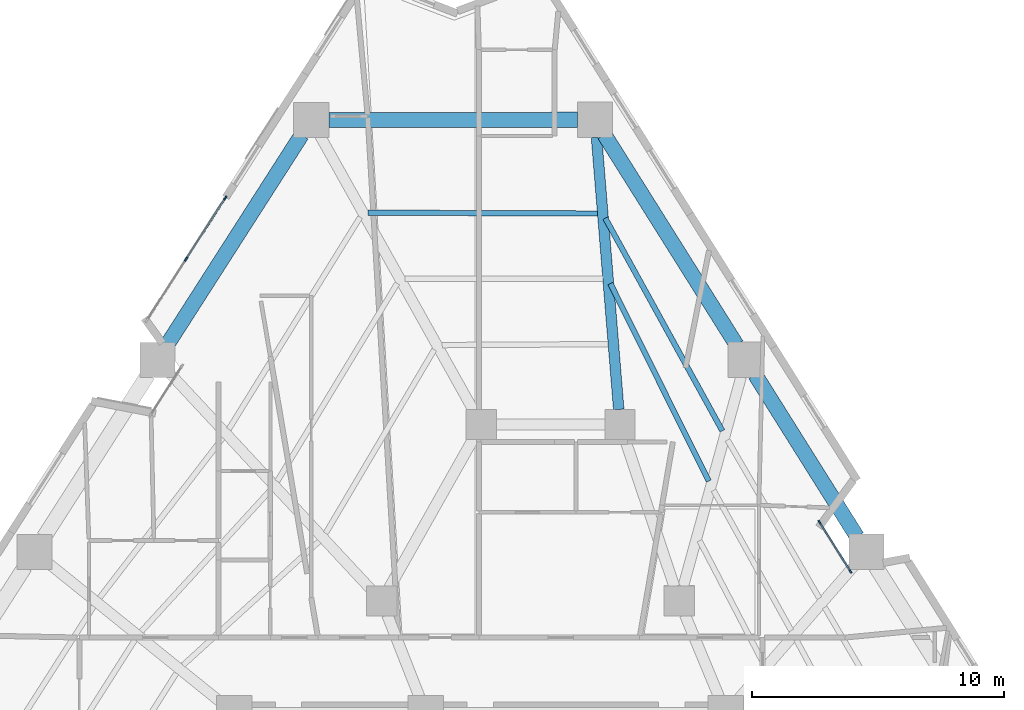
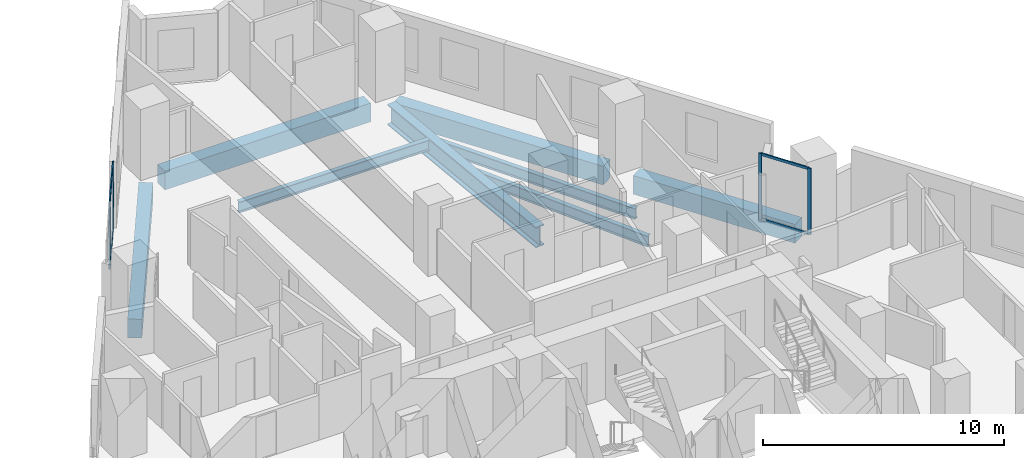
# One storey, part 4 of 14: 8 beams, 8 members, 2 elements without a shape of their own.
"""IFC4 building model written with IfcOpenShell, lengths in metres."""

import ifcopenshell
import ifcopenshell.guid

model = None  # the IFC model being written
_history = None  # IfcOwnerHistory: only IFC2X3 demands one
_inside = {}  # id of a spatial element -> (the spatial element, [elements in it])
_under = {}  # id of a project, library or spatial element -> (it, [spatial elements below it])
_declared = {}  # id of a project -> (the project, [libraries it declares])
_typed = {}  # id of a type object -> (the type object, [elements of that type])
_made_of = {}  # id of a material, layer set ... -> (it, [elements and type objects made of it])


def new_model(schema):
    """Start an empty IFC model of exactly this schema.

    Asked for "IFC4X3", IfcOpenShell would pick the latest addendum, in which some entities
    have other attributes; the version numbers below select the first issue.
    IFC2X3 requires an IfcOwnerHistory on every rooted entity: one is made here for all.
    """
    global model, _history
    if schema == "IFC4X3":
        model = ifcopenshell.file(schema_version=(4, 3, 0, 0))
    else:
        model = ifcopenshell.file(schema=schema)
    _inside.clear()
    _under.clear()
    _declared.clear()
    _typed.clear()
    _made_of.clear()
    _history = None
    if model.schema == "IFC2X3":
        org = make("IfcOrganization", Name="unknown")
        user = make(
            "IfcPersonAndOrganization",
            ThePerson=make("IfcPerson", FamilyName="unknown"),
            TheOrganization=org,
        )
        app = make(
            "IfcApplication",
            ApplicationDeveloper=org,
            Version="unknown",
            ApplicationFullName="unknown",
            ApplicationIdentifier="unknown",
        )
        _history = make(
            "IfcOwnerHistory",
            OwningUser=user,
            OwningApplication=app,
            ChangeAction="ADDED",
            CreationDate=0,
        )
    return model


def make(cls, **values):
    """One entity of the class cls with the attributes given. An attribute that is None is left unset."""
    return model.create_entity(
        cls, **{name: value for name, value in values.items() if value is not None}
    )


def rooted(cls, **values):
    """An entity with a GlobalId (a new one), such as an element, a storey or a relation."""
    return make(cls, GlobalId=ifcopenshell.guid.new(), OwnerHistory=_history, **values)


def si_unit(unit_type, name, prefix=None):
    """IfcSIUnit, for example si_unit("LENGTHUNIT", "METRE", prefix="MILLI")."""
    return make("IfcSIUnit", UnitType=unit_type, Prefix=prefix, Name=name)


def assignment(units):
    """IfcUnitAssignment: the units of a project."""
    return None if units is None else make("IfcUnitAssignment", Units=units)


def point(xyz):
    """IfcCartesianPoint."""
    return None if xyz is None else make("IfcCartesianPoint", Coordinates=xyz)


def direction(xyz):
    """IfcDirection."""
    return None if xyz is None else make("IfcDirection", DirectionRatios=xyz)


def frame(location, z_axis=None, x_axis=None):
    """IfcAxis2Placement3D, a coordinate frame: its origin and axes. An axis left out is left unset."""
    return make(
        "IfcAxis2Placement3D",
        Location=point(location),
        Axis=direction(z_axis),
        RefDirection=direction(x_axis),
    )


def frame_2d(location, x_axis=None):
    """IfcAxis2Placement2D, a coordinate frame in the plane: its origin and x axis."""
    return make(
        "IfcAxis2Placement2D", Location=point(location), RefDirection=direction(x_axis)
    )


def origin():
    """The frame at (0, 0, 0) with its axes left unset."""
    return frame((0.0, 0.0, 0.0))


def origin_2d():
    """The frame at (0, 0) in the plane with its x axis left unset."""
    return frame_2d((0.0, 0.0))


def place(relative_to, where):
    """IfcLocalPlacement: puts the frame where relative to a parent placement (None: the world)."""
    return make(
        "IfcLocalPlacement", PlacementRelTo=relative_to, RelativePlacement=where
    )


def context(
    kind, dimensions, precision=None, world=None, true_north=None, identifier=None
):
    """IfcGeometricRepresentationContext, for example the 3D "Model" context."""
    return make(
        "IfcGeometricRepresentationContext",
        ContextIdentifier=identifier,
        ContextType=kind,
        CoordinateSpaceDimension=dimensions,
        Precision=precision,
        WorldCoordinateSystem=world,
        TrueNorth=true_north,
    )


def subcontext(parent, identifier, kind, view, scale=None):
    """IfcGeometricRepresentationSubContext, for example "Body" below "Model"."""
    return make(
        "IfcGeometricRepresentationSubContext",
        ContextIdentifier=identifier,
        ContextType=kind,
        ParentContext=parent,
        TargetScale=scale,
        TargetView=view,
    )


def project(units=None, contexts=None):
    """IfcProject with its units and contexts."""
    return rooted(
        "IfcProject",
        Name="project",
        RepresentationContexts=contexts,
        UnitsInContext=assignment(units),
    )


def spatial(cls, under=None, at=None, **own):
    """A site, building, storey or space (cls), placed at a placement, below another one or the project."""
    s = rooted(cls, ObjectPlacement=at, **own)
    if under is not None:
        _under.setdefault(under.id(), (under, []))[1].append(s)
    return s


def profile(cls, at=None, kind="AREA", **sizes):
    """A parametric profile (cls). Its sizes go by their IFC names, for example OverallWidth=200.0."""
    return make(cls, ProfileType=kind, Position=at, **sizes)


def rectangle(**sizes):
    """IfcRectangleProfileDef."""
    return profile("IfcRectangleProfileDef", **sizes)


def i_section(**sizes):
    """IfcIShapeProfileDef."""
    return profile("IfcIShapeProfileDef", **sizes)


def extrude(swept, where, along, depth):
    """IfcExtrudedAreaSolid: the profile swept, set in the frame where, extruded along a direction by depth."""
    return make(
        "IfcExtrudedAreaSolid",
        SweptArea=swept,
        Position=where,
        ExtrudedDirection=direction(along),
        Depth=depth,
    )


def shape(context_of_items, identifier, shape_type, items):
    """IfcShapeRepresentation: the items that make up one representation, for example the "Body"."""
    return make(
        "IfcShapeRepresentation",
        ContextOfItems=context_of_items,
        RepresentationIdentifier=identifier,
        RepresentationType=shape_type,
        Items=items,
    )


def material(Name=None, Category=None):
    """IfcMaterial."""
    return make("IfcMaterial", Name=Name, Category=Category)


def layer(
    of_material, thickness, ventilated=None, Name=None, Category=None, Priority=None
):
    """IfcMaterialLayer: one layer of a wall or slab, of a material (None: an air gap)."""
    return make(
        "IfcMaterialLayer",
        Material=of_material,
        LayerThickness=thickness,
        IsVentilated=ventilated,
        Name=Name,
        Category=Category,
        Priority=Priority,
    )


def layer_set(layers, Name=None):
    """IfcMaterialLayerSet."""
    return make("IfcMaterialLayerSet", MaterialLayers=layers, LayerSetName=Name)


def material_profile(
    of_material, cross_section, Name=None, Category=None, Priority=None
):
    """IfcMaterialProfile: a cross section and its material."""
    return make(
        "IfcMaterialProfile",
        Name=Name,
        Material=of_material,
        Profile=cross_section,
        Priority=Priority,
        Category=Category,
    )


def profile_set(profiles, Name=None, composite=None):
    """IfcMaterialProfileSet."""
    return make(
        "IfcMaterialProfileSet",
        Name=Name,
        MaterialProfiles=profiles,
        CompositeProfile=composite,
    )


def made_of(thing, what):
    """Note that an element or type object is made of a material, layer set ...; save() writes the relation."""
    if what is not None:
        _made_of.setdefault(what.id(), (what, []))[1].append(thing)
    return thing


def type_object(cls, material=None, **own):
    """A type object (cls), such as IfcWallType, which elements share."""
    return made_of(rooted(cls, **own), material)


def element(
    cls,
    number,
    at=None,
    inside=None,
    cuts=None,
    type_object=None,
    material=None,
    context=None,
    identifier="Body",
    shape_type=None,
    held_by="IfcProductDefinitionShape",
    body=None,
    shapes=None,
    **own,
):
    """One element of the class cls, such as IfcWall. Its Tag is "e" and its number.

    at: its placement. inside: the storey or other place that contains it. cuts: it is an
    opening in that element (IfcRelVoidsElement). A single representation is given by context,
    identifier, shape_type and body (its items); several are given by shapes. held_by: the class
    of the entity that holds the representations. save() writes the other relations.
    """
    e = rooted(cls, Tag="e%d" % number, ObjectPlacement=at, **own)
    if body is not None:
        shapes = [shape(context, identifier, shape_type, body)]
    if shapes is not None:
        e.Representation = make(held_by, Representations=shapes)
    if inside is not None:
        _inside.setdefault(inside.id(), (inside, []))[1].append(e)
    if cuts is not None:
        rooted(
            "IfcRelVoidsElement", RelatingBuildingElement=cuts, RelatedOpeningElement=e
        )
    if type_object is not None:
        _typed.setdefault(type_object.id(), (type_object, []))[1].append(e)
    return made_of(e, material)


def aggregate(whole, parts):
    """IfcRelAggregates: a whole, such as a stair, and the parts it consists of."""
    return rooted("IfcRelAggregates", RelatingObject=whole, RelatedObjects=parts)


def save(model, path):
    """Write the relations noted so far, then the file.

    IfcRelAggregates (storeys below a building ...), IfcRelContainedInSpatialStructure (elements
    in a storey), IfcRelDefinesByType, IfcRelAssociatesMaterial and IfcRelDeclares: one each for
    every whole, place, type object, material and project.
    """
    for whole, parts in _under.values():
        aggregate(whole, parts)
    for where, things in _inside.values():
        rooted(
            "IfcRelContainedInSpatialStructure",
            RelatedElements=things,
            RelatingStructure=where,
        )
    for kind, things in _typed.values():
        rooted("IfcRelDefinesByType", RelatedObjects=things, RelatingType=kind)
    for what, things in _made_of.values():
        rooted("IfcRelAssociatesMaterial", RelatedObjects=things, RelatingMaterial=what)
    for by, libraries in _declared.values():
        rooted("IfcRelDeclares", RelatingContext=by, RelatedDefinitions=libraries)
    model.write(path)


model = new_model("IFC4")

# Units and contexts
model_context = context("Model", 3, precision=1e-05, world=origin(), true_north=direction((0.0, 1.0)))
body_context = subcontext(model_context, "Body", "Model", "MODEL_VIEW")
ifc_project = project(units=[si_unit("LENGTHUNIT", "METRE"), si_unit("AREAUNIT", "SQUARE_METRE"), si_unit("VOLUMEUNIT", "CUBIC_METRE"), si_unit("PLANEANGLEUNIT", "RADIAN"), si_unit("MASSUNIT", "GRAM", prefix="KILO")], contexts=[model_context])

# Site, building, storey
site_placement = place(None, origin())
site = spatial("IfcSite", under=ifc_project, at=site_placement, CompositionType="ELEMENT")
building_placement = place(site_placement, origin())
building = spatial("IfcBuilding", under=site, at=building_placement, Name="Almagre Mirador Tower", CompositionType="ELEMENT")
storey_placement = place(building_placement, frame((0.0, 0.0, 67.800048828125)))
storey = spatial("IfcBuildingStorey", under=building, at=storey_placement, Name="L16", CompositionType="ELEMENT", Elevation=67.800048828125)

# Beams
ifc_material_1 = material(Name="Steel ASTM A992 Grade 50", Category="steel")
ifc_material_profile_1 = material_profile(ifc_material_1, i_section(OverallWidth=0.214111328125, OverallDepth=0.549072265625, WebThickness=0.0146484375, FlangeThickness=0.023681640625, FilletRadius=0.01806640625, at=origin_2d()), Name="W21X93")
ifc_profile_set_1 = profile_set([ifc_material_profile_1], Name="Steel ASTM A992 Grade 50")
beam_type_1 = type_object("IfcBeamType", Name="BM-JST-W21X93", PredefinedType="JOIST", material=ifc_profile_set_1)
beam_1_placement = place(storey_placement, frame((46.911865234375, 25.949951171875, -0.524658203125), z_axis=(-0.482292394025, 0.876010300548, 0.0), x_axis=(-0.876010300548, -0.482292394025, 0.0)))
element("IfcBeam", 1, at=beam_1_placement, inside=storey, type_object=beam_type_1, Name="L16 secondary floor joist PC07-PC08.1", PredefinedType="JOIST", context=body_context, shape_type="SweptSolid", body=[
    extrude(i_section(OverallWidth=0.214111328125, OverallDepth=0.549072265625, WebThickness=0.0146484375, FlangeThickness=0.023681640625, FilletRadius=0.01806640625, at=origin_2d()), origin(), (0.0, 0.0, 1.0), 9.630615234375),
])
beam_2_placement = place(storey_placement, frame((46.368408203125, 23.9580078125, -0.524658203125), z_axis=(-0.445438105918, 0.895312735191, 0.0), x_axis=(-0.895312735191, -0.445438105918, 0.0)))
element("IfcBeam", 2, at=beam_2_placement, inside=storey, type_object=beam_type_1, Name="L16 secondary floor joist PC07-PC08.2", PredefinedType="JOIST", context=body_context, shape_type="SweptSolid", body=[
    extrude(i_section(OverallWidth=0.214111328125, OverallDepth=0.549072265625, WebThickness=0.0146484375, FlangeThickness=0.023681640625, FilletRadius=0.01806640625, at=origin_2d()), origin(), (0.0, 0.0, 1.0), 8.749755859375),
])
beam_3_placement = place(storey_placement, frame((41.95654296875, 34.57080078125, -0.524658203125), z_axis=(-0.999993235317, 0.003678222446, 0.0), x_axis=(-0.003678222446, -0.999993235317, 0.0)))
element("IfcBeam", 3, at=beam_3_placement, inside=storey, type_object=beam_type_1, Name="L16 secondary floor joist PC08-PC09.1", PredefinedType="JOIST", context=body_context, shape_type="SweptSolid", body=[
    extrude(i_section(OverallWidth=0.214111328125, OverallDepth=0.549072265625, WebThickness=0.0146484375, FlangeThickness=0.023681640625, FilletRadius=0.01806640625, at=origin_2d()), origin(), (0.0, 0.0, 1.0), 9.09326171875),
])
ifc_material_2 = material(Name="Precast concrete C50/60", Category="concrete")
ifc_material_profile_2 = material_profile(ifc_material_2, rectangle(XDim=0.60009765625, YDim=0.949951171875, at=origin_2d()), Name="RC600X950")
ifc_profile_set_2 = profile_set([ifc_material_profile_2], Name="Precast concrete C50/60")
beam_type_2 = type_object("IfcBeamType", Name="BM-SPN-RC600X950", PredefinedType="SPANDREL", material=ifc_profile_set_2)
beam_4_placement = place(storey_placement, frame((52.253662109375, 21.746826171875, -0.72509765625), z_axis=(-0.531919345601, 0.84679502229, 0.0), x_axis=(-0.84679502229, -0.531919345601, 0.0)))
element("IfcBeam", 4, at=beam_4_placement, inside=storey, type_object=beam_type_2, Name="L16 perimeter spandrel beam PC06-PC07", PredefinedType="SPANDREL", context=body_context, shape_type="SweptSolid", body=[
    extrude(rectangle(XDim=0.60009765625, YDim=0.949951171875, at=origin_2d()), origin(), (0.0, 0.0, 1.0), 7.59375),
])
beam_5_placement = place(storey_placement, frame((47.4697265625, 29.36279296875, -0.72509765625), z_axis=(-0.531919552243, 0.846794892487, 0.0), x_axis=(-0.846794892487, -0.531919552243, 0.0)))
element("IfcBeam", 5, at=beam_5_placement, inside=storey, type_object=beam_type_2, Name="L16 perimeter spandrel beam PC07-PC08", PredefinedType="SPANDREL", context=body_context, shape_type="SweptSolid", body=[
    extrude(rectangle(XDim=0.60009765625, YDim=0.949951171875, at=origin_2d()), origin(), (0.0, 0.0, 1.0), 9.84228515625),
])
beam_6_placement = place(storey_placement, frame((41.162109375, 38.289306640625, -0.72509765625), z_axis=(-0.999999686228, -0.000792177001, 0.0), x_axis=(0.000792177001, -0.999999686228, 0.0)))
element("IfcBeam", 6, at=beam_6_placement, inside=storey, type_object=beam_type_2, Name="L16 perimeter spandrel beam PC08-PC09", PredefinedType="SPANDREL", context=body_context, shape_type="SweptSolid", body=[
    extrude(rectangle(XDim=0.60009765625, YDim=0.949951171875, at=origin_2d()), origin(), (0.0, 0.0, 1.0), 9.862060546875),
])
beam_7_placement = place(storey_placement, frame((30.222412109375, 37.691650390625, -0.72509765625), z_axis=(-0.539503978712, -0.841983050277, 0.0), x_axis=(0.841983050277, -0.539503978712, 0.0)))
element("IfcBeam", 7, at=beam_7_placement, inside=storey, type_object=beam_type_2, Name="L16 perimeter spandrel beam PC09-PC10", PredefinedType="SPANDREL", context=body_context, shape_type="SweptSolid", body=[
    extrude(rectangle(XDim=0.60009765625, YDim=0.949951171875, at=origin_2d()), origin(), (0.0, 0.0, 1.0), 9.90673828125),
])
ifc_material_3 = material(Name="Steel ASTM A913 Grade 65", Category="steel")
ifc_material_profile_3 = material_profile(ifc_material_3, i_section(OverallWidth=0.4189453125, OverallDepth=1.041015625, WebThickness=0.031005859375, FlangeThickness=0.055908203125, FilletRadius=0.030029296875, at=origin_2d()), Name="W40X397")
ifc_profile_set_3 = profile_set([ifc_material_profile_3], Name="Steel ASTM A913 Grade 65")
beam_type_3 = type_object("IfcBeamType", Name="BM-STL-W40X397", PredefinedType="BEAM", material=ifc_profile_set_3)
beam_8_placement = place(storey_placement, frame((41.9189453125, 37.59228515625, -0.7705078125), z_axis=(0.081446555718, -0.996677710477, 0.0), x_axis=(0.996677710477, 0.081446555718, 0.0)))
element("IfcBeam", 8, at=beam_8_placement, inside=storey, type_object=beam_type_3, Name="L16 radial floor girder PC08-MC6", PredefinedType="BEAM", context=body_context, shape_type="SweptSolid", body=[
    extrude(i_section(OverallWidth=0.4189453125, OverallDepth=1.041015625, WebThickness=0.031005859375, FlangeThickness=0.055908203125, FilletRadius=0.030029296875, at=origin_2d()), origin(), (0.0, 0.0, 1.0), 10.830078125),
])

# Curtain wall, members
ifc_material_4 = material(Name="Black anodized aluminium", Category="aluminium")
ifc_layer_1 = layer(ifc_material_4, 0.169921875)
ifc_layer_set_1 = layer_set([ifc_layer_1], Name="Black anodized aluminium")
curtain_wall_type_1 = type_object("IfcCurtainWallType", Name="CW-CRS-SYS", PredefinedType="NOTDEFINED", material=ifc_layer_set_1)
curtain_wall_1_placement = place(storey_placement, origin())
curtain_wall_1 = element("IfcCurtainWall", 9, at=curtain_wall_1_placement, inside=storey, type_object=curtain_wall_type_1, Name="L16 vertical crease curtain wall 03", PredefinedType="NOTDEFINED")
ifc_material_5 = material(Name="Black anodized aluminium", Category="aluminium")
ifc_material_profile_4 = material_profile(ifc_material_5, rectangle(XDim=0.06005859375, YDim=0.14990234375, at=origin_2d()), Name="CWM60X150")
ifc_profile_set_4 = profile_set([ifc_material_profile_4], Name="Black anodized aluminium")
member_type_1 = type_object("IfcMemberType", Name="MBR-CWM60X150", PredefinedType="MULLION", material=ifc_profile_set_4)
member_1_placement = place(storey_placement, frame((50.764404296875, 22.3310546875, 0.0), z_axis=(0.0, 0.0, 1.0), x_axis=(0.8467397231, 0.532007369615, 0.0)))
member_1 = element("IfcMember", 10, at=member_1_placement, type_object=member_type_1, Name="CW-4 mullion 1", PredefinedType="MULLION", context=body_context, shape_type="SweptSolid", body=[
    extrude(rectangle(XDim=0.06005859375, YDim=0.14990234375, at=origin_2d()), origin(), (0.0, 0.0, 1.0), 3.349853515625),
])
member_2_placement = place(storey_placement, frame((51.99365234375, 20.375, 0.0), z_axis=(0.0, 0.0, 1.0), x_axis=(0.8467397231, 0.532007369615, 0.0)))
member_2 = element("IfcMember", 11, at=member_2_placement, type_object=member_type_1, Name="CW-4 mullion 2", PredefinedType="MULLION", context=body_context, shape_type="SweptSolid", body=[
    extrude(rectangle(XDim=0.06005859375, YDim=0.14990234375, at=origin_2d()), origin(), (0.0, 0.0, 1.0), 3.349853515625),
])

ifc_material_6 = material(Name="Black anodized aluminium", Category="aluminium")
ifc_layer_2 = layer(ifc_material_6, 0.18994140625)
ifc_layer_set_2 = layer_set([ifc_layer_2], Name="Black anodized aluminium")
curtain_wall_type_2 = type_object("IfcCurtainWallType", Name="CW-RES-L-SYS", PredefinedType="NOTDEFINED", material=ifc_layer_set_2)
curtain_wall_2_placement = place(storey_placement, origin())
curtain_wall_2 = element("IfcCurtainWall", 12, at=curtain_wall_2_placement, inside=storey, type_object=curtain_wall_type_2, Name="L16 curtain wall run 02", PredefinedType="NOTDEFINED")
ifc_material_7 = material(Name="Black anodized aluminium", Category="aluminium")
ifc_material_profile_5 = material_profile(ifc_material_7, rectangle(XDim=0.06494140625, YDim=0.179931640625, at=origin_2d()), Name="CWM65X180")
ifc_profile_set_5 = profile_set([ifc_material_profile_5], Name="Black anodized aluminium")
member_type_2 = type_object("IfcMemberType", Name="MBR-CWM65X180", PredefinedType="MULLION", material=ifc_profile_set_5)
member_3_placement = place(storey_placement, frame((25.637451171875, 32.759521484375, 0.0), z_axis=(0.0, 0.0, 1.0), x_axis=(-0.841975112502, 0.539516366691, 0.0)))
member_3 = element("IfcMember", 13, at=member_3_placement, type_object=member_type_2, Name="CW-2 mullion 2", PredefinedType="MULLION", context=body_context, shape_type="SweptSolid", body=[
    extrude(rectangle(XDim=0.06494140625, YDim=0.179931640625, at=origin_2d()), origin(), (0.0, 0.0, 1.0), 3.349853515625),
])
member_4_placement = place(storey_placement, frame((27.19140625, 35.1845703125, 0.0), z_axis=(0.0, 0.0, 1.0), x_axis=(-0.841975112502, 0.539516366691, 0.0)))
member_4 = element("IfcMember", 14, at=member_4_placement, type_object=member_type_2, Name="CW-2 mullion 3", PredefinedType="MULLION", context=body_context, shape_type="SweptSolid", body=[
    extrude(rectangle(XDim=0.06494140625, YDim=0.179931640625, at=origin_2d()), origin(), (0.0, 0.0, 1.0), 3.349853515625),
])
ifc_material_8 = material(Name="Black anodized aluminium", Category="aluminium")
ifc_material_profile_6 = material_profile(ifc_material_8, rectangle(XDim=0.06005859375, YDim=0.1298828125, at=origin_2d()), Name="CWT60X130")
ifc_profile_set_6 = profile_set([ifc_material_profile_6], Name="Black anodized aluminium")
member_type_3 = type_object("IfcMemberType", Name="MBR-CWT60X130", PredefinedType="USERDEFINED", material=ifc_profile_set_6)
member_5_placement = place(storey_placement, frame((25.655029296875, 32.786865234375, 0.030029296875), z_axis=(0.539499044574, 0.841986211825, 0.0), x_axis=(-0.841986211825, 0.539499044574, 0.0)))
member_5 = element("IfcMember", 15, at=member_5_placement, type_object=member_type_3, Name="CW-2 transom 2.1", ObjectType="TRANSOM", PredefinedType="USERDEFINED", context=body_context, shape_type="SweptSolid", body=[
    extrude(rectangle(XDim=0.06005859375, YDim=0.1298828125, at=origin_2d()), origin(), (0.0, 0.0, 1.0), 2.815185546875),
])
member_6_placement = place(storey_placement, frame((25.655029296875, 32.786865234375, 3.320068359375), z_axis=(0.539499044574, 0.841986211825, 0.0), x_axis=(-0.841986211825, 0.539499044574, 0.0)))
member_6 = element("IfcMember", 16, at=member_6_placement, type_object=member_type_3, Name="CW-2 transom 2.2", ObjectType="TRANSOM", PredefinedType="USERDEFINED", context=body_context, shape_type="SweptSolid", body=[
    extrude(rectangle(XDim=0.06005859375, YDim=0.1298828125, at=origin_2d()), origin(), (0.0, 0.0, 1.0), 2.815185546875),
])
aggregate(curtain_wall_2, [member_3, member_4, member_5, member_6])

# Member
member_7_placement = place(storey_placement, frame((50.780517578125, 22.3056640625, 0.030029296875), z_axis=(0.531987097616, -0.846752459677, 0.0), x_axis=(0.846752459677, 0.531987097616, 0.0)))
member_7 = element("IfcMember", 17, at=member_7_placement, type_object=member_type_3, Name="CW-4 transom 1.1", ObjectType="TRANSOM", PredefinedType="USERDEFINED", context=body_context, shape_type="SweptSolid", body=[
    extrude(rectangle(XDim=0.06005859375, YDim=0.1298828125, at=origin_2d()), origin(), (0.0, 0.0, 1.0), 2.25),
])

member_8_placement = place(storey_placement, frame((50.780517578125, 22.3056640625, 3.320068359375), z_axis=(0.531987097616, -0.846752459677, 0.0), x_axis=(0.846752459677, 0.531987097616, 0.0)))
member_8 = element("IfcMember", 18, at=member_8_placement, type_object=member_type_3, Name="CW-4 transom 1.2", ObjectType="TRANSOM", PredefinedType="USERDEFINED", context=body_context, shape_type="SweptSolid", body=[
    extrude(rectangle(XDim=0.06005859375, YDim=0.1298828125, at=origin_2d()), origin(), (0.0, 0.0, 1.0), 2.25),
])

aggregate(curtain_wall_1, [member_1, member_2, member_7, member_8])

save(model, "model.ifc")
